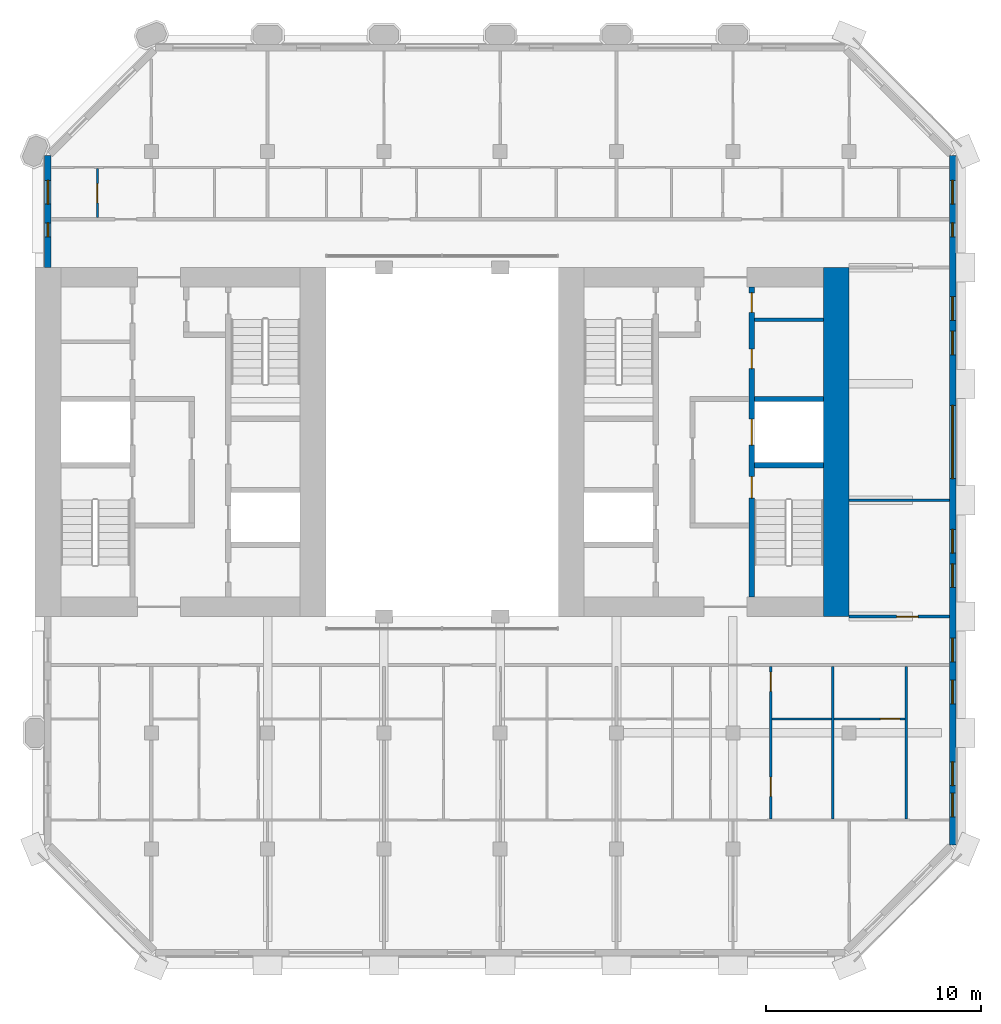
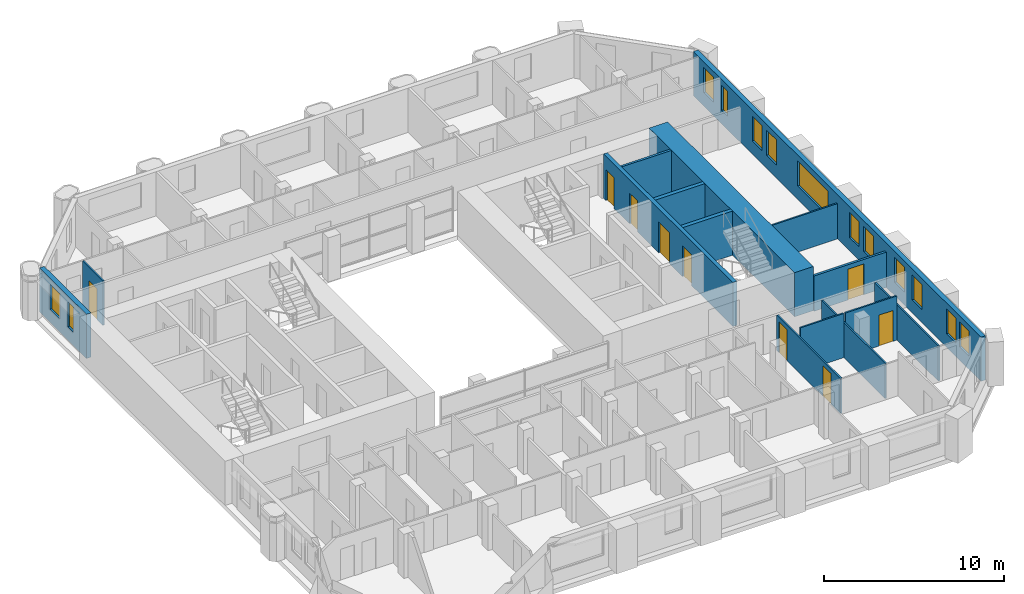
# One storey, part 11 of 16: 15 walls, 13 windows, 9 doors, 22 openings.
"""IFC4 building model written with IfcOpenShell, lengths in metres."""

from ifc_helpers import new_model, si_unit, direction, frame, frame_2d, origin, place, context, subcontext, project, spatial, rectangle, extrude, material, layer, layer_set, type_object, element, fill, save


model = new_model("IFC4")

# Units and contexts
model_context = context("Model", 3, precision=1e-05, world=origin(), true_north=direction((0.0, 1.0)))
body_context = subcontext(model_context, "Body", "Model", "MODEL_VIEW")
ifc_project = project(units=[si_unit("LENGTHUNIT", "METRE"), si_unit("AREAUNIT", "SQUARE_METRE"), si_unit("VOLUMEUNIT", "CUBIC_METRE"), si_unit("PLANEANGLEUNIT", "RADIAN"), si_unit("MASSUNIT", "GRAM", prefix="KILO")], contexts=[model_context])

# Site, building, storey
site_placement = place(None, origin())
site = spatial("IfcSite", under=ifc_project, at=site_placement, CompositionType="ELEMENT")
building_placement = place(site_placement, origin())
building = spatial("IfcBuilding", under=site, at=building_placement, Name="Tabaq Tower and Sports Hall", CompositionType="ELEMENT")
storey_placement = place(building_placement, frame((0.0, 0.0, 268.60009765625)))
storey = spatial("IfcBuildingStorey", under=building, at=storey_placement, Name="L65", CompositionType="ELEMENT", Elevation=268.60009765625)

# Walls
ifc_material_1 = material(Name="Blockwork", Category="masonry")
ifc_layer_1 = layer(ifc_material_1, 0.14990234375)
ifc_layer_set_1 = layer_set([ifc_layer_1], Name="Core room partition 150 Blockwork")
wall_type_1 = type_object("IfcWallType", Name="Core room partition 150 Blockwork", PredefinedType="PARTITIONING", material=ifc_layer_set_1)
wall_1_placement = place(storey_placement, frame((38.800048828125, 29.97705078125, 0.0), z_axis=(0.0, 0.0, 1.0), x_axis=(1.0, 0.0, 0.0)))
element("IfcWall", 1, at=wall_1_placement, inside=storey, type_object=wall_type_1, Name="Core room partition E L65", PredefinedType="PARTITIONING", context=body_context, shape_type="SweptSolid", body=[
    extrude(rectangle(XDim=3.199951171875, YDim=0.14990234375, at=frame_2d((1.60009765625, 0.0))), origin(), (0.0, 0.0, 1.0), 3.0),
])
ifc_material_2 = material(Name="Concrete C40/50", Category="concrete")
ifc_layer_2 = layer(ifc_material_2, 1.199951171875)
ifc_layer_set_2 = layer_set([ifc_layer_2], Name="Core wall 1200 Concrete C40/50")
wall_type_2 = type_object("IfcWallType", Name="Core wall 1200 Concrete C40/50", PredefinedType="SOLIDWALL", material=ifc_layer_set_2)
wall_2_placement = place(storey_placement, frame((42.60009765625, 32.39990234375, 0.0), z_axis=(0.0, 0.0, 1.0), x_axis=(0.0, -1.0, 0.0)))
element("IfcWall", 2, at=wall_2_placement, inside=storey, type_object=wall_type_2, Name="Core wall E L65", PredefinedType="SOLIDWALL", context=body_context, shape_type="SweptSolid", body=[
    extrude(rectangle(XDim=16.199951171875, YDim=1.199951171875, at=frame_2d((8.10009765625, 0.0))), origin(), (0.0, 0.0, 1.0), 3.0),
])

# Wall, opening, door
ifc_material_3 = material(Name="Gypsum board on steel studs", Category="steel")
ifc_layer_3 = layer(ifc_material_3, 0.10009765625)
ifc_layer_set_3 = layer_set([ifc_layer_3], Name="Partition 100 Gypsum board")
wall_type_3 = type_object("IfcWallType", Name="Partition 100 Gypsum board", PredefinedType="PARTITIONING", material=ifc_layer_set_3)
wall_3_placement = place(storey_placement, frame((8.300048828125, 34.72509765625, 0.0), z_axis=(0.0, 0.0, 1.0), x_axis=(0.0, 1.0, 0.0)))
wall_3 = element("IfcWall", 3, at=wall_3_placement, inside=storey, type_object=wall_type_3, Name="Partition wall L65", PredefinedType="PARTITIONING", context=body_context, shape_type="SweptSolid", body=[
    extrude(rectangle(XDim=2.27490234375, YDim=0.10009765625, at=frame_2d((1.137451171875, 0.0))), origin(), (0.0, 0.0, 1.0), 3.0),
])
opening_1_placement = place(wall_3_placement, frame((0.675048828125, 0.0, 0.0)))
opening_1 = element("IfcOpeningElement", 4, at=opening_1_placement, cuts=wall_3, Name="Opening L65-033", PredefinedType="OPENING", context=body_context, shape_type="SweptSolid", body=[
    extrude(rectangle(XDim=0.89990234375, YDim=2.10009765625, at=frame_2d((0.449951171875, 1.050048828125))), frame((0.0, 0.050048828125, 0.0), z_axis=(0.0, -1.0, 0.0), x_axis=(1.0, 0.0, 0.0)), (0.0, 0.0, 1.0), 0.10009765625),
])
ifc_material_4 = material(Name="Timber leaf in steel frame", Category="steel")
door_type_1 = type_object("IfcDoorType", Name="Internal door 900 left hand", OperationType="SINGLE_SWING_LEFT", PredefinedType="DOOR", material=ifc_material_4)
door_1_placement = place(opening_1_placement, origin())
door_1 = element("IfcDoor", 5, at=door_1_placement, inside=storey, type_object=door_type_1, Name="Internal door L65-033", OperationType="SINGLE_SWING_LEFT", OverallHeight=2.10009765625, OverallWidth=0.89990234375, PredefinedType="DOOR", context=body_context, shape_type="SweptSolid", body=[
    extrude(rectangle(XDim=0.89990234375, YDim=2.10009765625, at=frame_2d((0.449951171875, 1.050048828125))), frame((0.0, 0.02490234375, 0.0), z_axis=(0.0, -1.0, 0.0), x_axis=(1.0, 0.0, 0.0)), (0.0, 0.0, 1.0), 0.050048828125),
])
fill(opening_1, door_1)

# Wall
wall_4_placement = place(storey_placement, frame((43.199951171875, 21.60009765625, 0.0), z_axis=(0.0, 0.0, 1.0), x_axis=(1.0, 0.0, 0.0)))
element("IfcWall", 6, at=wall_4_placement, inside=storey, type_object=wall_type_3, Name="Partition wall L65", PredefinedType="PARTITIONING", context=body_context, shape_type="SweptSolid", body=[
    extrude(rectangle(XDim=4.649169921875, YDim=0.10009765625, at=frame_2d((2.32470703125, 0.0))), origin(), (0.0, 0.0, 1.0), 2.39990234375),
])

# Wall, openings, doors
wall_5_placement = place(storey_placement, frame((39.555908203125, 6.800048828125, 0.0), z_axis=(0.0, 0.0, 1.0), x_axis=(0.0, 1.0, 0.0)))
wall_5 = element("IfcWall", 7, at=wall_5_placement, inside=storey, type_object=wall_type_3, Name="Partition wall L65", PredefinedType="PARTITIONING", context=body_context, shape_type="SweptSolid", body=[
    extrude(rectangle(XDim=7.074951171875, YDim=0.10009765625, at=frame_2d((3.53759765625, 0.0))), origin(), (0.0, 0.0, 1.0), 2.39990234375),
])
opening_2_placement = place(wall_5_placement, frame((1.050048828125, 0.0, 0.0)))
opening_2 = element("IfcOpeningElement", 8, at=opening_2_placement, cuts=wall_5, Name="Opening L65-027", PredefinedType="OPENING", context=body_context, shape_type="SweptSolid", body=[
    extrude(rectangle(XDim=0.89990234375, YDim=2.10009765625, at=frame_2d((0.449951171875, 1.050048828125))), frame((0.0, 0.050048828125, 0.0), z_axis=(0.0, -1.0, 0.0), x_axis=(1.0, 0.0, 0.0)), (0.0, 0.0, 1.0), 0.10009765625),
])
opening_3_placement = place(wall_5_placement, frame((5.925048828125, 0.0, 0.0)))
opening_3 = element("IfcOpeningElement", 9, at=opening_3_placement, cuts=wall_5, Name="Opening L65-028", PredefinedType="OPENING", context=body_context, shape_type="SweptSolid", body=[
    extrude(rectangle(XDim=0.89990234375, YDim=2.10009765625, at=frame_2d((0.449951171875, 1.050048828125))), frame((0.0, 0.050048828125, 0.0), z_axis=(0.0, -1.0, 0.0), x_axis=(1.0, 0.0, 0.0)), (0.0, 0.0, 1.0), 0.10009765625),
])
door_2_placement = place(opening_2_placement, origin())
door_2 = element("IfcDoor", 10, at=door_2_placement, inside=storey, type_object=door_type_1, Name="Internal door L65-027", OperationType="SINGLE_SWING_LEFT", OverallHeight=2.10009765625, OverallWidth=0.89990234375, PredefinedType="DOOR", context=body_context, shape_type="SweptSolid", body=[
    extrude(rectangle(XDim=0.89990234375, YDim=2.10009765625, at=frame_2d((0.449951171875, 1.050048828125))), frame((0.0, 0.02490234375, 0.0), z_axis=(0.0, -1.0, 0.0), x_axis=(1.0, 0.0, 0.0)), (0.0, 0.0, 1.0), 0.050048828125),
])
fill(opening_2, door_2)
door_3_placement = place(opening_3_placement, origin())
door_3 = element("IfcDoor", 11, at=door_3_placement, inside=storey, type_object=door_type_1, Name="Internal door L65-028", OperationType="SINGLE_SWING_LEFT", OverallHeight=2.10009765625, OverallWidth=0.89990234375, PredefinedType="DOOR", context=body_context, shape_type="SweptSolid", body=[
    extrude(rectangle(XDim=0.89990234375, YDim=2.10009765625, at=frame_2d((0.449951171875, 1.050048828125))), frame((0.0, 0.02490234375, 0.0), z_axis=(0.0, -1.0, 0.0), x_axis=(1.0, 0.0, 0.0)), (0.0, 0.0, 1.0), 0.050048828125),
])
fill(opening_3, door_3)

# Walls
wall_6_placement = place(storey_placement, frame((42.385009765625, 11.449951171875, 0.0), z_axis=(0.0, 0.0, 1.0), x_axis=(-1.0, 0.0, 0.0)))
element("IfcWall", 12, at=wall_6_placement, inside=storey, type_object=wall_type_3, Name="Partition wall L65", PredefinedType="PARTITIONING", context=body_context, shape_type="SweptSolid", body=[
    extrude(rectangle(XDim=2.779052734375, YDim=0.10009765625, at=frame_2d((1.3896484375, 0.0))), origin(), (0.0, 0.0, 1.0), 3.0),
])
wall_7_placement = place(storey_placement, frame((42.43505859375, 6.800048828125, 0.0), z_axis=(0.0, 0.0, 1.0), x_axis=(0.0, 1.0, 0.0)))
element("IfcWall", 13, at=wall_7_placement, inside=storey, type_object=wall_type_3, Name="Partition wall L65", PredefinedType="PARTITIONING", context=body_context, shape_type="SweptSolid", body=[
    extrude(rectangle(XDim=7.074951171875, YDim=0.10009765625, at=frame_2d((3.53759765625, 0.0))), origin(), (0.0, 0.0, 1.0), 2.39990234375),
])

# Wall, opening, door
wall_8_placement = place(storey_placement, frame((45.800048828125, 11.449951171875, 0.0), z_axis=(0.0, 0.0, 1.0), x_axis=(-1.0, 0.0, 0.0)))
wall_8 = element("IfcWall", 14, at=wall_8_placement, inside=storey, type_object=wall_type_3, Name="Partition wall L65", PredefinedType="PARTITIONING", context=body_context, shape_type="SweptSolid", body=[
    extrude(rectangle(XDim=3.31494140625, YDim=0.10009765625, at=frame_2d((1.657470703125, 0.0))), origin(), (0.0, 0.0, 1.0), 3.0),
])
opening_4_placement = place(wall_8_placement, frame((0.25, 0.0, 0.0)))
opening_4 = element("IfcOpeningElement", 15, at=opening_4_placement, cuts=wall_8, Name="Opening L65-029", PredefinedType="OPENING", context=body_context, shape_type="SweptSolid", body=[
    extrude(rectangle(XDim=0.89990234375, YDim=2.10009765625, at=frame_2d((0.449951171875, 1.050048828125))), frame((0.0, 0.050048828125, 0.0), z_axis=(0.0, -1.0, 0.0), x_axis=(1.0, 0.0, 0.0)), (0.0, 0.0, 1.0), 0.10009765625),
])
door_4_placement = place(opening_4_placement, origin())
door_4 = element("IfcDoor", 16, at=door_4_placement, inside=storey, type_object=door_type_1, Name="Internal door L65-029", OperationType="SINGLE_SWING_LEFT", OverallHeight=2.10009765625, OverallWidth=0.89990234375, PredefinedType="DOOR", context=body_context, shape_type="SweptSolid", body=[
    extrude(rectangle(XDim=0.89990234375, YDim=2.10009765625, at=frame_2d((0.449951171875, 1.050048828125))), frame((0.0, 0.02490234375, 0.0), z_axis=(0.0, -1.0, 0.0), x_axis=(1.0, 0.0, 0.0)), (0.0, 0.0, 1.0), 0.050048828125),
])
fill(opening_4, door_4)

# Wall
wall_9_placement = place(storey_placement, frame((45.85009765625, 6.800048828125, 0.0), z_axis=(0.0, 0.0, 1.0), x_axis=(0.0, 1.0, 0.0)))
element("IfcWall", 17, at=wall_9_placement, inside=storey, type_object=wall_type_3, Name="Partition wall L65", PredefinedType="PARTITIONING", context=body_context, shape_type="SweptSolid", body=[
    extrude(rectangle(XDim=7.074951171875, YDim=0.10009765625, at=frame_2d((3.53759765625, 0.0))), origin(), (0.0, 0.0, 1.0), 2.39990234375),
])

# Wall, opening, door
ifc_material_5 = material(Name="Blockwork", Category="masonry")
ifc_layer_4 = layer(ifc_material_5, 0.14990234375)
ifc_layer_set_4 = layer_set([ifc_layer_4], Name="Separating wall 150 Blockwork")
wall_type_4 = type_object("IfcWallType", Name="Separating wall 150 Blockwork", PredefinedType="PARTITIONING", material=ifc_layer_set_4)
wall_10_placement = place(storey_placement, frame((43.199951171875, 16.199951171875, 0.0), z_axis=(0.0, 0.0, 1.0), x_axis=(1.0, 0.0, 0.0)))
wall_10 = element("IfcWall", 18, at=wall_10_placement, inside=storey, type_object=wall_type_4, Name="Separating wall L65", PredefinedType="PARTITIONING", context=body_context, shape_type="SweptSolid", body=[
    extrude(rectangle(XDim=4.649169921875, YDim=0.14990234375, at=frame_2d((2.32470703125, 0.0))), origin(), (0.0, 0.0, 1.0), 2.39990234375),
])
opening_5_placement = place(wall_10_placement, frame((2.199951171875, 0.0, 0.0)))
opening_5 = element("IfcOpeningElement", 19, at=opening_5_placement, cuts=wall_10, Name="Opening L65-030", PredefinedType="OPENING", context=body_context, shape_type="SweptSolid", body=[
    extrude(rectangle(XDim=1.0, YDim=2.10009765625, at=frame_2d((0.5, 1.050048828125))), frame((0.0, 0.074951171875, 0.0), z_axis=(0.0, -1.0, 0.0), x_axis=(1.0, 0.0, 0.0)), (0.0, 0.0, 1.0), 0.14990234375),
])
ifc_material_6 = material(Name="Timber leaf in steel frame", Category="steel")
door_type_2 = type_object("IfcDoorType", Name="Internal door 1000 right hand", OperationType="SINGLE_SWING_RIGHT", PredefinedType="DOOR", material=ifc_material_6)
door_5_placement = place(opening_5_placement, origin())
door_5 = element("IfcDoor", 20, at=door_5_placement, inside=storey, type_object=door_type_2, Name="Internal door L65-030", OperationType="SINGLE_SWING_RIGHT", OverallHeight=2.10009765625, OverallWidth=1.0, PredefinedType="DOOR", context=body_context, shape_type="SweptSolid", body=[
    extrude(rectangle(XDim=1.0, YDim=2.10009765625, at=frame_2d((0.5, 1.050048828125))), frame((0.0, 0.02490234375, 0.0), z_axis=(0.0, -1.0, 0.0), x_axis=(1.0, 0.0, 0.0)), (0.0, 0.0, 1.0), 0.050048828125),
])
fill(opening_5, door_5)

# Wall, openings, doors
ifc_material_7 = material(Name="Concrete C40/50", Category="concrete")
ifc_layer_5 = layer(ifc_material_7, 0.25)
ifc_layer_set_5 = layer_set([ifc_layer_5], Name="Shaft and stair wall 250 Concrete C40/50")
wall_type_5 = type_object("IfcWallType", Name="Shaft and stair wall 250 Concrete C40/50", PredefinedType="SOLIDWALL", material=ifc_layer_set_5)
wall_11_placement = place(storey_placement, frame((38.675048828125, 17.10009765625, 0.0), z_axis=(0.0, 0.0, 1.0), x_axis=(0.0, 1.0, 0.0)))
wall_11 = element("IfcWall", 21, at=wall_11_placement, inside=storey, type_object=wall_type_5, Name="Shaft wall E L65", PredefinedType="SOLIDWALL", context=body_context, shape_type="SweptSolid", body=[
    extrude(rectangle(XDim=14.39990234375, YDim=0.25, at=frame_2d((7.199951171875, 0.0))), origin(), (0.0, 0.0, 1.0), 3.0),
])
opening_6_placement = place(wall_11_placement, frame((4.60009765625, 0.0, 0.0)))
opening_6 = element("IfcOpeningElement", 22, at=opening_6_placement, cuts=wall_11, Name="Opening SD-EL65-03", PredefinedType="OPENING", context=body_context, shape_type="SweptSolid", body=[
    extrude(rectangle(XDim=1.0, YDim=2.10009765625, at=frame_2d((0.5, 1.050048828125))), frame((0.0, 0.125, 0.0), z_axis=(0.0, -1.0, 0.0), x_axis=(1.0, 0.0, 0.0)), (0.0, 0.0, 1.0), 0.25),
])
opening_7_placement = place(wall_11_placement, frame((7.0625, 0.0, 0.0)))
opening_7 = element("IfcOpeningElement", 23, at=opening_7_placement, cuts=wall_11, Name="Opening LD-FF2-L65", PredefinedType="OPENING", context=body_context, shape_type="SweptSolid", body=[
    extrude(rectangle(XDim=1.199951171875, YDim=2.10009765625, at=frame_2d((0.60009765625, 1.050048828125))), frame((0.0, 0.125, 0.0), z_axis=(0.0, -1.0, 0.0), x_axis=(1.0, 0.0, 0.0)), (0.0, 0.0, 1.0), 0.25),
])
opening_8_placement = place(wall_11_placement, frame((10.613525390625, 0.0, 0.0)))
opening_8 = element("IfcOpeningElement", 24, at=opening_8_placement, cuts=wall_11, Name="Opening RD-EL65-09", PredefinedType="OPENING", context=body_context, shape_type="SweptSolid", body=[
    extrude(rectangle(XDim=0.89990234375, YDim=2.10009765625, at=frame_2d((0.449951171875, 1.050048828125))), frame((0.0, 0.125, 0.0), z_axis=(0.0, -1.0, 0.0), x_axis=(1.0, 0.0, 0.0)), (0.0, 0.0, 1.0), 0.25),
])
opening_9_placement = place(wall_11_placement, frame((13.22607421875, 0.0, 0.0)))
opening_9 = element("IfcOpeningElement", 25, at=opening_9_placement, cuts=wall_11, Name="Opening RD-EL65-10", PredefinedType="OPENING", context=body_context, shape_type="SweptSolid", body=[
    extrude(rectangle(XDim=0.89990234375, YDim=2.10009765625, at=frame_2d((0.449951171875, 1.050048828125))), frame((0.0, 0.125, 0.0), z_axis=(0.0, -1.0, 0.0), x_axis=(1.0, 0.0, 0.0)), (0.0, 0.0, 1.0), 0.25),
])
ifc_material_8 = material(Name="Steel fire door", Category="steel")
door_type_3 = type_object("IfcDoorType", Name="Core room door 900", OperationType="SINGLE_SWING_LEFT", PredefinedType="DOOR", material=ifc_material_8)
door_6_placement = place(opening_8_placement, origin())
door_6 = element("IfcDoor", 26, at=door_6_placement, inside=storey, type_object=door_type_3, Name="Door Comms Room E L65", OperationType="SINGLE_SWING_LEFT", OverallHeight=2.10009765625, OverallWidth=0.89990234375, PredefinedType="DOOR", context=body_context, shape_type="SweptSolid", body=[
    extrude(rectangle(XDim=0.89990234375, YDim=2.10009765625, at=frame_2d((0.449951171875, 1.050048828125))), frame((0.0, 0.02490234375, 0.0), z_axis=(0.0, -1.0, 0.0), x_axis=(1.0, 0.0, 0.0)), (0.0, 0.0, 1.0), 0.050048828125),
])
fill(opening_8, door_6)
door_7_placement = place(opening_9_placement, origin())
door_7 = element("IfcDoor", 27, at=door_7_placement, inside=storey, type_object=door_type_3, Name="Door Electrical Room E L65", OperationType="SINGLE_SWING_LEFT", OverallHeight=2.10009765625, OverallWidth=0.89990234375, PredefinedType="DOOR", context=body_context, shape_type="SweptSolid", body=[
    extrude(rectangle(XDim=0.89990234375, YDim=2.10009765625, at=frame_2d((0.449951171875, 1.050048828125))), frame((0.0, 0.02490234375, 0.0), z_axis=(0.0, -1.0, 0.0), x_axis=(1.0, 0.0, 0.0)), (0.0, 0.0, 1.0), 0.050048828125),
])
fill(opening_9, door_7)
ifc_material_9 = material(Name="Stainless steel", Category="steel")
door_type_4 = type_object("IfcDoorType", Name="Lift landing door 1200", OperationType="DOUBLE_DOOR_SLIDING", PredefinedType="DOOR", material=ifc_material_9)
door_8_placement = place(opening_7_placement, origin())
door_8 = element("IfcDoor", 28, at=door_8_placement, inside=storey, type_object=door_type_4, Name="Lift landing door FF2 E L65", OperationType="DOUBLE_DOOR_SLIDING", OverallHeight=2.10009765625, OverallWidth=1.199951171875, PredefinedType="DOOR", context=body_context, shape_type="SweptSolid", body=[
    extrude(rectangle(XDim=1.199951171875, YDim=2.10009765625, at=frame_2d((0.60009765625, 1.050048828125))), frame((0.0, 0.02490234375, 0.0), z_axis=(0.0, -1.0, 0.0), x_axis=(1.0, 0.0, 0.0)), (0.0, 0.0, 1.0), 0.050048828125),
])
fill(opening_7, door_8)
ifc_material_10 = material(Name="Steel fire door", Category="steel")
door_type_5 = type_object("IfcDoorType", Name="Stair door 1000", OperationType="SINGLE_SWING_LEFT", PredefinedType="DOOR", material=ifc_material_10)
door_9_placement = place(opening_6_placement, origin())
door_9 = element("IfcDoor", 29, at=door_9_placement, inside=storey, type_object=door_type_5, Name="Stair door ST3 E L65", OperationType="SINGLE_SWING_LEFT", OverallHeight=2.10009765625, OverallWidth=1.0, PredefinedType="DOOR", context=body_context, shape_type="SweptSolid", body=[
    extrude(rectangle(XDim=1.0, YDim=2.10009765625, at=frame_2d((0.5, 1.050048828125))), frame((0.0, 0.02490234375, 0.0), z_axis=(0.0, -1.0, 0.0), x_axis=(1.0, 0.0, 0.0)), (0.0, 0.0, 1.0), 0.050048828125),
])
fill(opening_6, door_9)

# Walls
for number, where, z_axis, x_axis, name in (
    (30, (38.800048828125, 23.22509765625, 0.0), (0.0, 0.0, 1.0), (1.0, 0.0, 0.0), "Stair enclosure wall E L65"),
    (31, (38.800048828125, 26.300048828125, 0.0), (0.0, 0.0, 1.0), (1.0, 0.0, 0.0), "Shaft wall E L65"),
):
    element("IfcWall", number, at=place(storey_placement, frame(where, z_axis=z_axis, x_axis=x_axis)), inside=storey, type_object=wall_type_5, Name=name, PredefinedType="SOLIDWALL", context=body_context, shape_type="SweptSolid", body=[
        extrude(rectangle(XDim=3.199951171875, YDim=0.25, at=frame_2d((1.60009765625, 0.0))), origin(), (0.0, 0.0, 1.0), 3.0),
    ])

# Wall, openings, windows
ifc_material_11 = material(Name="White precast concrete C60/75", Category="concrete")
ifc_layer_6 = layer(ifc_material_11, 0.300048828125)
ifc_layer_set_6 = layer_set([ifc_layer_6], Name="White precast concrete C60/75 external wall 300")
wall_type_6 = type_object("IfcWallType", Name="White precast concrete C60/75 external wall 300", PredefinedType="SOLIDWALL", material=ifc_layer_set_6)
wall_12_placement = place(storey_placement, frame((48.0, 5.58642578125, 0.0), z_axis=(0.0, 0.0, 1.0), x_axis=(0.0, 1.0, 0.0)))
wall_12 = element("IfcWall", 32, at=wall_12_placement, inside=storey, type_object=wall_type_6, Name="External Wall L65 E", PredefinedType="SOLIDWALL", context=body_context, shape_type="SweptSolid", body=[
    extrude(rectangle(XDim=32.027099609375, YDim=0.300048828125, at=frame_2d((16.013671875, 0.0))), origin(), (0.0, 0.0, 1.0), 3.0),
])
opening_10_placement = place(wall_12_placement, frame((1.313720703125, 0.0, 0.89990234375)))
opening_10 = element("IfcOpeningElement", 33, at=opening_10_placement, cuts=wall_12, Name="Opening W1B", PredefinedType="OPENING", context=body_context, shape_type="SweptSolid", body=[
    extrude(rectangle(XDim=1.10009765625, YDim=1.699951171875, at=frame_2d((0.550048828125, 0.85009765625))), frame((0.0, 0.16015625, 0.0), z_axis=(0.0, -1.0, 0.0), x_axis=(1.0, 0.0, 0.0)), (0.0, 0.0, 1.0), 0.320068359375),
])
opening_11_placement = place(wall_12_placement, frame((2.763671875, 0.0, 0.89990234375)))
opening_11 = element("IfcOpeningElement", 34, at=opening_11_placement, cuts=wall_12, Name="Opening W1B", PredefinedType="OPENING", context=body_context, shape_type="SweptSolid", body=[
    extrude(rectangle(XDim=1.10009765625, YDim=1.699951171875, at=frame_2d((0.550048828125, 0.85009765625))), frame((0.0, 0.16015625, 0.0), z_axis=(0.0, -1.0, 0.0), x_axis=(1.0, 0.0, 0.0)), (0.0, 0.0, 1.0), 0.320068359375),
])
opening_12_placement = place(wall_12_placement, frame((6.563720703125, 0.0, 0.89990234375)))
opening_12 = element("IfcOpeningElement", 35, at=opening_12_placement, cuts=wall_12, Name="Opening W1B", PredefinedType="OPENING", context=body_context, shape_type="SweptSolid", body=[
    extrude(rectangle(XDim=1.10009765625, YDim=1.699951171875, at=frame_2d((0.550048828125, 0.85009765625))), frame((0.0, 0.16015625, 0.0), z_axis=(0.0, -1.0, 0.0), x_axis=(1.0, 0.0, 0.0)), (0.0, 0.0, 1.0), 0.320068359375),
])
opening_13_placement = place(wall_12_placement, frame((8.513671875, 0.0, 0.89990234375)))
opening_13 = element("IfcOpeningElement", 36, at=opening_13_placement, cuts=wall_12, Name="Opening W1B", PredefinedType="OPENING", context=body_context, shape_type="SweptSolid", body=[
    extrude(rectangle(XDim=1.10009765625, YDim=1.699951171875, at=frame_2d((0.550048828125, 0.85009765625))), frame((0.0, 0.16015625, 0.0), z_axis=(0.0, -1.0, 0.0), x_axis=(1.0, 0.0, 0.0)), (0.0, 0.0, 1.0), 0.320068359375),
])
opening_14_placement = place(wall_12_placement, frame((11.963623046875, 0.0, 0.89990234375)))
opening_14 = element("IfcOpeningElement", 37, at=opening_14_placement, cuts=wall_12, Name="Opening W1B", PredefinedType="OPENING", context=body_context, shape_type="SweptSolid", body=[
    extrude(rectangle(XDim=1.10009765625, YDim=1.699951171875, at=frame_2d((0.550048828125, 0.85009765625))), frame((0.0, 0.16015625, 0.0), z_axis=(0.0, -1.0, 0.0), x_axis=(1.0, 0.0, 0.0)), (0.0, 0.0, 1.0), 0.320068359375),
])
opening_15_placement = place(wall_12_placement, frame((13.563720703125, 0.0, 0.89990234375)))
opening_15 = element("IfcOpeningElement", 38, at=opening_15_placement, cuts=wall_12, Name="Opening W1B", PredefinedType="OPENING", context=body_context, shape_type="SweptSolid", body=[
    extrude(rectangle(XDim=1.10009765625, YDim=1.699951171875, at=frame_2d((0.550048828125, 0.85009765625))), frame((0.0, 0.16015625, 0.0), z_axis=(0.0, -1.0, 0.0), x_axis=(1.0, 0.0, 0.0)), (0.0, 0.0, 1.0), 0.320068359375),
])
opening_16_placement = place(wall_12_placement, frame((17.013671875, 0.0, 0.89990234375)))
opening_16 = element("IfcOpeningElement", 39, at=opening_16_placement, cuts=wall_12, Name="Opening W1A", PredefinedType="OPENING", context=body_context, shape_type="SweptSolid", body=[
    extrude(rectangle(XDim=3.39990234375, YDim=1.699951171875, at=frame_2d((1.699951171875, 0.85009765625))), frame((0.0, 0.16015625, 0.0), z_axis=(0.0, -1.0, 0.0), x_axis=(1.0, 0.0, 0.0)), (0.0, 0.0, 1.0), 0.320068359375),
])
opening_17_placement = place(wall_12_placement, frame((22.763671875, 0.0, 0.89990234375)))
opening_17 = element("IfcOpeningElement", 40, at=opening_17_placement, cuts=wall_12, Name="Opening W1B", PredefinedType="OPENING", context=body_context, shape_type="SweptSolid", body=[
    extrude(rectangle(XDim=1.10009765625, YDim=1.699951171875, at=frame_2d((0.550048828125, 0.85009765625))), frame((0.0, 0.16015625, 0.0), z_axis=(0.0, -1.0, 0.0), x_axis=(1.0, 0.0, 0.0)), (0.0, 0.0, 1.0), 0.320068359375),
])
opening_18_placement = place(wall_12_placement, frame((24.363525390625, 0.0, 0.89990234375)))
opening_18 = element("IfcOpeningElement", 41, at=opening_18_placement, cuts=wall_12, Name="Opening W1B", PredefinedType="OPENING", context=body_context, shape_type="SweptSolid", body=[
    extrude(rectangle(XDim=1.10009765625, YDim=1.699951171875, at=frame_2d((0.550048828125, 0.85009765625))), frame((0.0, 0.16015625, 0.0), z_axis=(0.0, -1.0, 0.0), x_axis=(1.0, 0.0, 0.0)), (0.0, 0.0, 1.0), 0.320068359375),
])
opening_19_placement = place(wall_12_placement, frame((28.238525390625, 0.0, 0.89990234375)))
opening_19 = element("IfcOpeningElement", 42, at=opening_19_placement, cuts=wall_12, Name="Opening W1C", PredefinedType="OPENING", context=body_context, shape_type="SweptSolid", body=[
    extrude(rectangle(XDim=0.64990234375, YDim=1.699951171875, at=frame_2d((0.324951171875, 0.85009765625))), frame((0.0, 0.16015625, 0.0), z_axis=(0.0, -1.0, 0.0), x_axis=(1.0, 0.0, 0.0)), (0.0, 0.0, 1.0), 0.320068359375),
])
opening_20_placement = place(wall_12_placement, frame((29.763671875, 0.0, 0.89990234375)))
opening_20 = element("IfcOpeningElement", 43, at=opening_20_placement, cuts=wall_12, Name="Opening W1B", PredefinedType="OPENING", context=body_context, shape_type="SweptSolid", body=[
    extrude(rectangle(XDim=1.10009765625, YDim=1.699951171875, at=frame_2d((0.550048828125, 0.85009765625))), frame((0.0, 0.16015625, 0.0), z_axis=(0.0, -1.0, 0.0), x_axis=(1.0, 0.0, 0.0)), (0.0, 0.0, 1.0), 0.320068359375),
])
ifc_material_12 = material(Name="Aluminium framed clear glazing", Category="aluminium")
window_type_1 = type_object("IfcWindowType", Name="Window W1A", PartitioningType="SINGLE_PANEL", PredefinedType="WINDOW", material=ifc_material_12)
window_1_placement = place(opening_16_placement, origin())
window_1 = element("IfcWindow", 44, at=window_1_placement, inside=storey, type_object=window_type_1, Name="Window W1A L65", OverallHeight=1.699951171875, OverallWidth=3.39990234375, PartitioningType="SINGLE_PANEL", PredefinedType="WINDOW", context=body_context, shape_type="SweptSolid", body=[
    extrude(rectangle(XDim=3.39990234375, YDim=1.699951171875, at=frame_2d((1.699951171875, 0.85009765625))), frame((0.0, 0.030029296875, 0.0), z_axis=(0.0, -1.0, 0.0), x_axis=(1.0, 0.0, 0.0)), (0.0, 0.0, 1.0), 0.06005859375),
])
fill(opening_16, window_1)
ifc_material_13 = material(Name="Aluminium framed clear glazing", Category="aluminium")
window_type_2 = type_object("IfcWindowType", Name="Window W1B", PartitioningType="SINGLE_PANEL", PredefinedType="WINDOW", material=ifc_material_13)
window_2_placement = place(opening_10_placement, origin())
window_2 = element("IfcWindow", 45, at=window_2_placement, inside=storey, type_object=window_type_2, Name="Window W1B L65", OverallHeight=1.699951171875, OverallWidth=1.10009765625, PartitioningType="SINGLE_PANEL", PredefinedType="WINDOW", context=body_context, shape_type="SweptSolid", body=[
    extrude(rectangle(XDim=1.10009765625, YDim=1.699951171875, at=frame_2d((0.550048828125, 0.85009765625))), frame((0.0, 0.030029296875, 0.0), z_axis=(0.0, -1.0, 0.0), x_axis=(1.0, 0.0, 0.0)), (0.0, 0.0, 1.0), 0.06005859375),
])
fill(opening_10, window_2)
window_3_placement = place(opening_11_placement, origin())
window_3 = element("IfcWindow", 46, at=window_3_placement, inside=storey, type_object=window_type_2, Name="Window W1B L65", OverallHeight=1.699951171875, OverallWidth=1.10009765625, PartitioningType="SINGLE_PANEL", PredefinedType="WINDOW", context=body_context, shape_type="SweptSolid", body=[
    extrude(rectangle(XDim=1.10009765625, YDim=1.699951171875, at=frame_2d((0.550048828125, 0.85009765625))), frame((0.0, 0.030029296875, 0.0), z_axis=(0.0, -1.0, 0.0), x_axis=(1.0, 0.0, 0.0)), (0.0, 0.0, 1.0), 0.06005859375),
])
fill(opening_11, window_3)
window_4_placement = place(opening_12_placement, origin())
window_4 = element("IfcWindow", 47, at=window_4_placement, inside=storey, type_object=window_type_2, Name="Window W1B L65", OverallHeight=1.699951171875, OverallWidth=1.10009765625, PartitioningType="SINGLE_PANEL", PredefinedType="WINDOW", context=body_context, shape_type="SweptSolid", body=[
    extrude(rectangle(XDim=1.10009765625, YDim=1.699951171875, at=frame_2d((0.550048828125, 0.85009765625))), frame((0.0, 0.030029296875, 0.0), z_axis=(0.0, -1.0, 0.0), x_axis=(1.0, 0.0, 0.0)), (0.0, 0.0, 1.0), 0.06005859375),
])
fill(opening_12, window_4)
window_5_placement = place(opening_13_placement, origin())
window_5 = element("IfcWindow", 48, at=window_5_placement, inside=storey, type_object=window_type_2, Name="Window W1B L65", OverallHeight=1.699951171875, OverallWidth=1.10009765625, PartitioningType="SINGLE_PANEL", PredefinedType="WINDOW", context=body_context, shape_type="SweptSolid", body=[
    extrude(rectangle(XDim=1.10009765625, YDim=1.699951171875, at=frame_2d((0.550048828125, 0.85009765625))), frame((0.0, 0.030029296875, 0.0), z_axis=(0.0, -1.0, 0.0), x_axis=(1.0, 0.0, 0.0)), (0.0, 0.0, 1.0), 0.06005859375),
])
fill(opening_13, window_5)
window_6_placement = place(opening_14_placement, origin())
window_6 = element("IfcWindow", 49, at=window_6_placement, inside=storey, type_object=window_type_2, Name="Window W1B L65", OverallHeight=1.699951171875, OverallWidth=1.10009765625, PartitioningType="SINGLE_PANEL", PredefinedType="WINDOW", context=body_context, shape_type="SweptSolid", body=[
    extrude(rectangle(XDim=1.10009765625, YDim=1.699951171875, at=frame_2d((0.550048828125, 0.85009765625))), frame((0.0, 0.030029296875, 0.0), z_axis=(0.0, -1.0, 0.0), x_axis=(1.0, 0.0, 0.0)), (0.0, 0.0, 1.0), 0.06005859375),
])
fill(opening_14, window_6)
window_7_placement = place(opening_15_placement, origin())
window_7 = element("IfcWindow", 50, at=window_7_placement, inside=storey, type_object=window_type_2, Name="Window W1B L65", OverallHeight=1.699951171875, OverallWidth=1.10009765625, PartitioningType="SINGLE_PANEL", PredefinedType="WINDOW", context=body_context, shape_type="SweptSolid", body=[
    extrude(rectangle(XDim=1.10009765625, YDim=1.699951171875, at=frame_2d((0.550048828125, 0.85009765625))), frame((0.0, 0.030029296875, 0.0), z_axis=(0.0, -1.0, 0.0), x_axis=(1.0, 0.0, 0.0)), (0.0, 0.0, 1.0), 0.06005859375),
])
fill(opening_15, window_7)
window_8_placement = place(opening_17_placement, origin())
window_8 = element("IfcWindow", 51, at=window_8_placement, inside=storey, type_object=window_type_2, Name="Window W1B L65", OverallHeight=1.699951171875, OverallWidth=1.10009765625, PartitioningType="SINGLE_PANEL", PredefinedType="WINDOW", context=body_context, shape_type="SweptSolid", body=[
    extrude(rectangle(XDim=1.10009765625, YDim=1.699951171875, at=frame_2d((0.550048828125, 0.85009765625))), frame((0.0, 0.030029296875, 0.0), z_axis=(0.0, -1.0, 0.0), x_axis=(1.0, 0.0, 0.0)), (0.0, 0.0, 1.0), 0.06005859375),
])
fill(opening_17, window_8)
window_9_placement = place(opening_18_placement, origin())
window_9 = element("IfcWindow", 52, at=window_9_placement, inside=storey, type_object=window_type_2, Name="Window W1B L65", OverallHeight=1.699951171875, OverallWidth=1.10009765625, PartitioningType="SINGLE_PANEL", PredefinedType="WINDOW", context=body_context, shape_type="SweptSolid", body=[
    extrude(rectangle(XDim=1.10009765625, YDim=1.699951171875, at=frame_2d((0.550048828125, 0.85009765625))), frame((0.0, 0.030029296875, 0.0), z_axis=(0.0, -1.0, 0.0), x_axis=(1.0, 0.0, 0.0)), (0.0, 0.0, 1.0), 0.06005859375),
])
fill(opening_18, window_9)
window_10_placement = place(opening_20_placement, origin())
window_10 = element("IfcWindow", 53, at=window_10_placement, inside=storey, type_object=window_type_2, Name="Window W1B L65", OverallHeight=1.699951171875, OverallWidth=1.10009765625, PartitioningType="SINGLE_PANEL", PredefinedType="WINDOW", context=body_context, shape_type="SweptSolid", body=[
    extrude(rectangle(XDim=1.10009765625, YDim=1.699951171875, at=frame_2d((0.550048828125, 0.85009765625))), frame((0.0, 0.030029296875, 0.0), z_axis=(0.0, -1.0, 0.0), x_axis=(1.0, 0.0, 0.0)), (0.0, 0.0, 1.0), 0.06005859375),
])
fill(opening_20, window_10)
ifc_material_14 = material(Name="Aluminium framed clear glazing", Category="aluminium")
window_type_3 = type_object("IfcWindowType", Name="Window W1C", PartitioningType="SINGLE_PANEL", PredefinedType="WINDOW", material=ifc_material_14)
window_11_placement = place(opening_19_placement, origin())
window_11 = element("IfcWindow", 54, at=window_11_placement, inside=storey, type_object=window_type_3, Name="Window W1C L65", OverallHeight=1.699951171875, OverallWidth=0.64990234375, PartitioningType="SINGLE_PANEL", PredefinedType="WINDOW", context=body_context, shape_type="SweptSolid", body=[
    extrude(rectangle(XDim=0.64990234375, YDim=1.699951171875, at=frame_2d((0.324951171875, 0.85009765625))), frame((0.0, 0.030029296875, 0.0), z_axis=(0.0, -1.0, 0.0), x_axis=(1.0, 0.0, 0.0)), (0.0, 0.0, 1.0), 0.06005859375),
])
fill(opening_19, window_11)

wall_13_placement = place(storey_placement, frame((6.0, 37.613525390625, 0.0), z_axis=(0.0, 0.0, 1.0), x_axis=(0.0, -1.0, 0.0)))
wall_13 = element("IfcWall", 55, at=wall_13_placement, inside=storey, type_object=wall_type_6, Name="External Wall L65 W", PredefinedType="SOLIDWALL", context=body_context, shape_type="SweptSolid", body=[
    extrude(rectangle(XDim=5.213623046875, YDim=0.300048828125, at=frame_2d((2.60693359375, 0.0))), origin(), (0.0, 0.0, 1.0), 3.0),
])
opening_21_placement = place(wall_13_placement, frame((1.16357421875, 0.0, 0.89990234375)))
opening_21 = element("IfcOpeningElement", 56, at=opening_21_placement, cuts=wall_13, Name="Opening W1B", PredefinedType="OPENING", context=body_context, shape_type="SweptSolid", body=[
    extrude(rectangle(XDim=1.10009765625, YDim=1.699951171875, at=frame_2d((0.550048828125, 0.85009765625))), frame((0.0, 0.16015625, 0.0), z_axis=(0.0, -1.0, 0.0), x_axis=(1.0, 0.0, 0.0)), (0.0, 0.0, 1.0), 0.320068359375),
])
opening_22_placement = place(wall_13_placement, frame((3.138671875, 0.0, 0.89990234375)))
opening_22 = element("IfcOpeningElement", 57, at=opening_22_placement, cuts=wall_13, Name="Opening W1C", PredefinedType="OPENING", context=body_context, shape_type="SweptSolid", body=[
    extrude(rectangle(XDim=0.64990234375, YDim=1.699951171875, at=frame_2d((0.324951171875, 0.85009765625))), frame((0.0, 0.16015625, 0.0), z_axis=(0.0, -1.0, 0.0), x_axis=(1.0, 0.0, 0.0)), (0.0, 0.0, 1.0), 0.320068359375),
])
window_12_placement = place(opening_21_placement, origin())
window_12 = element("IfcWindow", 58, at=window_12_placement, inside=storey, type_object=window_type_2, Name="Window W1B L65", OverallHeight=1.699951171875, OverallWidth=1.10009765625, PartitioningType="SINGLE_PANEL", PredefinedType="WINDOW", context=body_context, shape_type="SweptSolid", body=[
    extrude(rectangle(XDim=1.10009765625, YDim=1.699951171875, at=frame_2d((0.550048828125, 0.85009765625))), frame((0.0, 0.030029296875, 0.0), z_axis=(0.0, -1.0, 0.0), x_axis=(1.0, 0.0, 0.0)), (0.0, 0.0, 1.0), 0.06005859375),
])
fill(opening_21, window_12)
window_13_placement = place(opening_22_placement, origin())
window_13 = element("IfcWindow", 59, at=window_13_placement, inside=storey, type_object=window_type_3, Name="Window W1C L65", OverallHeight=1.699951171875, OverallWidth=0.64990234375, PartitioningType="SINGLE_PANEL", PredefinedType="WINDOW", context=body_context, shape_type="SweptSolid", body=[
    extrude(rectangle(XDim=0.64990234375, YDim=1.699951171875, at=frame_2d((0.324951171875, 0.85009765625))), frame((0.0, 0.030029296875, 0.0), z_axis=(0.0, -1.0, 0.0), x_axis=(1.0, 0.0, 0.0)), (0.0, 0.0, 1.0), 0.06005859375),
])
fill(opening_22, window_13)

save(model, "model.ifc")
